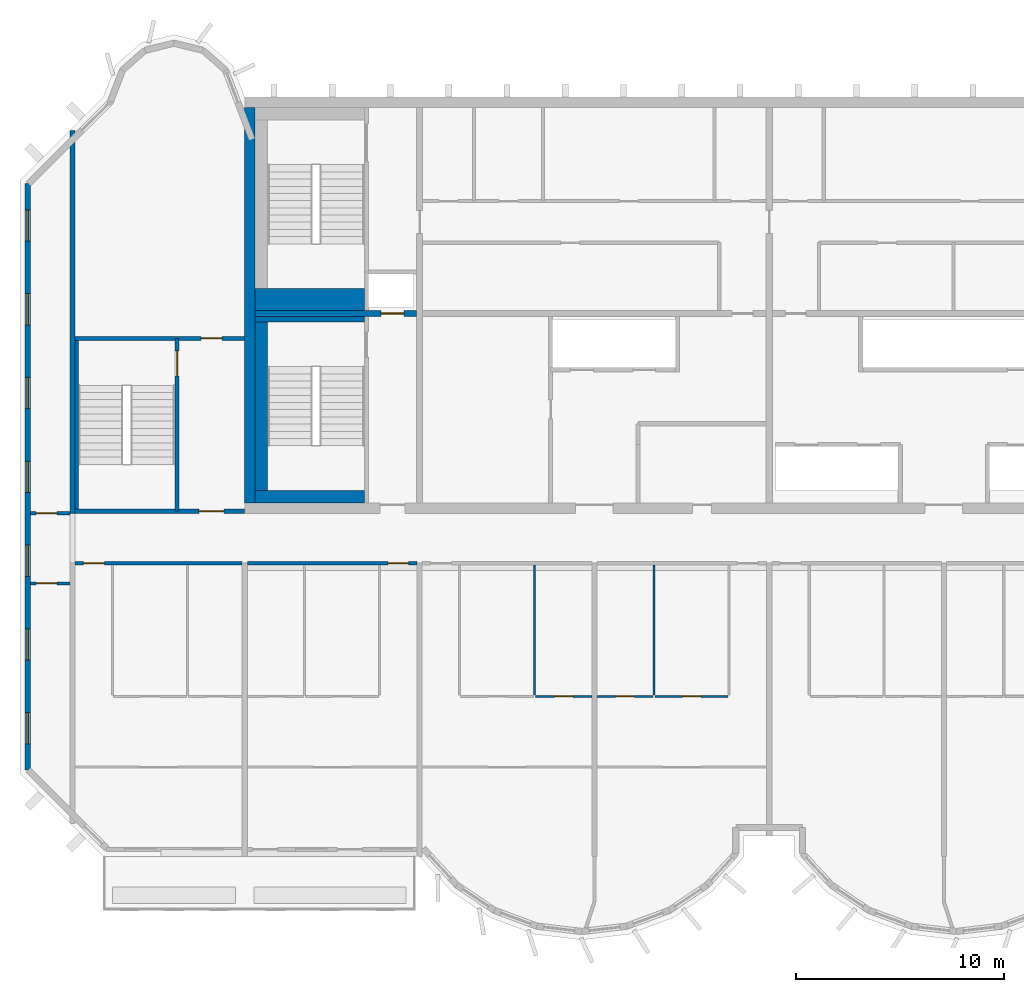
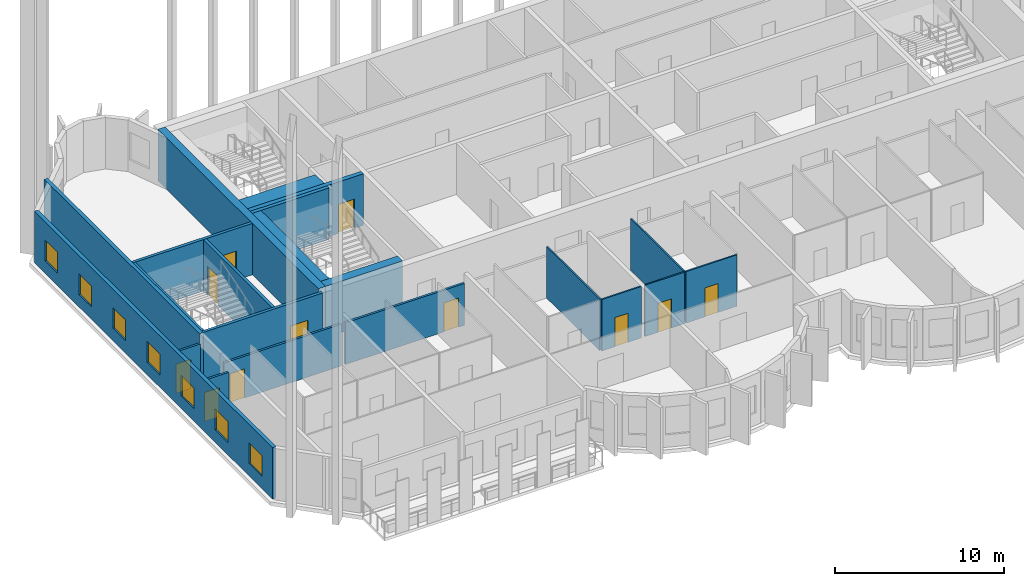
# One storey, part 3 of 13: 21 walls, 11 doors, 7 windows, 18 openings.
"""IFC4 building model written with IfcOpenShell, lengths in metres."""

from ifc_helpers import new_model, si_unit, direction, frame, frame_2d, origin, place, context, subcontext, project, spatial, rectangle, extrude, source, transform, mapped, material, layer, layer_set, type_object, element, fill, save


model = new_model("IFC4")

# Units and contexts
model_context = context("Model", 3, precision=1e-05, world=origin(), true_north=direction((0.0, 1.0)))
body_context = subcontext(model_context, "Body", "Model", "MODEL_VIEW")
ifc_project = project(units=[si_unit("LENGTHUNIT", "METRE"), si_unit("AREAUNIT", "SQUARE_METRE"), si_unit("VOLUMEUNIT", "CUBIC_METRE"), si_unit("PLANEANGLEUNIT", "RADIAN"), si_unit("MASSUNIT", "GRAM", prefix="KILO")], contexts=[model_context])

# Site, building, storey
site_placement = place(None, origin())
site = spatial("IfcSite", under=ifc_project, at=site_placement, CompositionType="ELEMENT")
building_placement = place(site_placement, origin())
building = spatial("IfcBuilding", under=site, at=building_placement, Name="Vanashikhar Sky Hotel", CompositionType="ELEMENT")
storey_placement = place(building_placement, frame((0.0, 0.0, 277.699951171875)))
storey = spatial("IfcBuildingStorey", under=building, at=storey_placement, Name="L66", CompositionType="ELEMENT", Elevation=277.699951171875)

# Wall
ifc_material_1 = material(Name="Concrete M50", Category="concrete")
ifc_layer_1 = layer(ifc_material_1, 0.5)
ifc_layer_set_1 = layer_set([ifc_layer_1], Name="RC core shell wall 500 Concrete M50")
wall_type_1 = type_object("IfcWallType", Name="RC core shell wall 500 Concrete M50", PredefinedType="SHEAR", material=ifc_layer_set_1)
shared_shape_1 = source(origin(), body_context, "Body", "SweptSolid", [
    extrude(rectangle(XDim=19.0, YDim=0.5, at=frame_2d((9.5, 0.0))), origin(), (0.0, 0.0, 1.0), 3.719970703125),
])
wall_1_placement = place(storey_placement, frame((25.449951171875, 22.5, 0.0), z_axis=(0.0, 0.0, 1.0), x_axis=(0.0, 1.0, 0.0)))
element("IfcWall", 1, at=wall_1_placement, inside=storey, type_object=wall_type_1, Name="KW-L66-KW", PredefinedType="SHEAR", context=body_context, shape_type="MappedRepresentation", body=[
    mapped(shared_shape_1, transform((0.0, 0.0, 0.0), scale=1.0)),
])

# Wall, opening, door
ifc_layer_2 = layer(ifc_material_1, 0.300048828125)
ifc_layer_set_2 = layer_set([ifc_layer_2], Name="RC core inner wall 300 Concrete M50")
wall_type_2 = type_object("IfcWallType", Name="RC core inner wall 300 Concrete M50", PredefinedType="SHEAR", material=ifc_layer_set_2)
shared_shape_2 = source(origin(), body_context, "Body", "SweptSolid", [
    extrude(rectangle(XDim=7.75, YDim=0.300048828125, at=frame_2d((3.875, 0.0))), origin(), (0.0, 0.0, 1.0), 3.719970703125),
])
wall_2_placement = place(storey_placement, frame((25.699951171875, 31.60009765625, 0.0), z_axis=(0.0, 0.0, 1.0), x_axis=(1.0, 0.0, 0.0)))
wall_2 = element("IfcWall", 2, at=wall_2_placement, inside=storey, type_object=wall_type_2, Name="KW-L66-KY1", PredefinedType="SHEAR", context=body_context, shape_type="MappedRepresentation", body=[
    mapped(shared_shape_2, transform((0.0, 0.0, 0.0), scale=1.0)),
])
shared_shape_3 = source(origin(), body_context, "Body", "SweptSolid", [
    extrude(rectangle(XDim=1.10009765625, YDim=2.10009765625, at=frame_2d((0.550048828125, 1.050048828125))), frame((0.0, 0.16015625, 0.0), z_axis=(0.0, -1.0, 0.0), x_axis=(1.0, 0.0, 0.0)), (0.0, 0.0, 1.0), 0.320068359375),
])
opening_1_placement = place(wall_2_placement, frame((6.050048828125, 0.0, 0.0)))
opening_1 = element("IfcOpeningElement", 3, at=opening_1_placement, cuts=wall_2, Name="Opening LD", PredefinedType="OPENING", context=body_context, shape_type="MappedRepresentation", body=[
    mapped(shared_shape_3, transform((0.0, 0.0, 0.0), scale=1.0)),
])
ifc_material_2 = material(Name="Stainless steel", Category="steel")
door_type_1 = type_object("IfcDoorType", Name="Lift landing door 1100", OperationType="NOTDEFINED", PredefinedType="DOOR", material=ifc_material_2)
shared_shape_4 = source(origin(), body_context, "Body", "SweptSolid", [
    extrude(rectangle(XDim=1.10009765625, YDim=2.10009765625, at=frame_2d((0.550048828125, 1.050048828125))), frame((0.0, 0.02490234375, 0.0), z_axis=(0.0, -1.0, 0.0), x_axis=(1.0, 0.0, 0.0)), (0.0, 0.0, 1.0), 0.050048828125),
])
door_1_placement = place(opening_1_placement, origin())
door_1 = element("IfcDoor", 4, at=door_1_placement, inside=storey, type_object=door_type_1, Name="Lift landing door 1100", OperationType="SLIDING_TO_RIGHT", OverallHeight=2.10009765625, OverallWidth=1.10009765625, PredefinedType="DOOR", context=body_context, shape_type="MappedRepresentation", body=[
    mapped(shared_shape_4, transform((0.0, 0.0, 0.0), scale=1.0)),
])
fill(opening_1, door_1)

# Wall
ifc_layer_3 = layer(ifc_material_1, 0.25)
ifc_layer_set_3 = layer_set([ifc_layer_3], Name="RC shear wall 250 Concrete M50")
wall_type_3 = type_object("IfcWallType", Name="RC shear wall 250 Concrete M50", PredefinedType="SHEAR", material=ifc_layer_set_3)
shared_shape_5 = source(origin(), body_context, "Body", "SweptSolid", [
    extrude(rectangle(XDim=18.39990234375, YDim=0.25, at=frame_2d((9.199951171875, 0.0))), origin(), (0.0, 0.0, 1.0), 3.719970703125),
])
wall_3_placement = place(storey_placement, frame((16.925048828125, 22.0, 0.0), z_axis=(0.0, 0.0, 1.0), x_axis=(0.0, 1.0, 0.0)))
element("IfcWall", 5, at=wall_3_placement, inside=storey, type_object=wall_type_3, Name="CW-L66-XW03-2", PredefinedType="SHEAR", context=body_context, shape_type="MappedRepresentation", body=[
    mapped(shared_shape_5, transform((0.0, 0.0, 0.0), scale=1.0)),
])

# Wall, openings, windows
ifc_layer_4 = layer(ifc_material_1, 0.25)
ifc_layer_set_4 = layer_set([ifc_layer_4], Name="Rear and end board-marked wall 250")
wall_type_4 = type_object("IfcWallType", Name="Rear and end board-marked wall 250", PredefinedType="SOLIDWALL", material=ifc_layer_set_4)
shared_shape_6 = source(origin(), body_context, "Body", "SweptSolid", [
    extrude(rectangle(XDim=28.189453125, YDim=0.25, at=frame_2d((14.0947265625, 0.0))), origin(), (0.0, 0.0, 1.0), 3.719970703125),
])
wall_4_placement = place(storey_placement, frame((14.77490234375, 37.8447265625, 0.0), z_axis=(0.0, 0.0, 1.0), x_axis=(0.0, -1.0, 0.0)))
wall_4 = element("IfcWall", 6, at=wall_4_placement, inside=storey, type_object=wall_type_4, Name="End board-marked wall", PredefinedType="SOLIDWALL", context=body_context, shape_type="MappedRepresentation", body=[
    mapped(shared_shape_6, transform((0.0, 0.0, 0.0), scale=1.0)),
])
shared_shape_7 = source(origin(), body_context, "Body", "SweptSolid", [
    extrude(rectangle(XDim=1.5, YDim=1.5, at=frame_2d((0.75, 0.75))), frame((0.0, 0.135009765625, 0.0), z_axis=(0.0, -1.0, 0.0), x_axis=(1.0, 0.0, 0.0)), (0.0, 0.0, 1.0), 0.27001953125),
])
opening_2_placement = place(wall_4_placement, frame((1.263427734375, 0.0, 0.89990234375)))
opening_2 = element("IfcOpeningElement", 7, at=opening_2_placement, cuts=wall_4, Name="Opening WN-1", PredefinedType="OPENING", context=body_context, shape_type="MappedRepresentation", body=[
    mapped(shared_shape_7, transform((0.0, 0.0, 0.0), scale=1.0)),
])
opening_3_placement = place(wall_4_placement, frame((5.29052734375, 0.0, 0.89990234375)))
opening_3 = element("IfcOpeningElement", 8, at=opening_3_placement, cuts=wall_4, Name="Opening WN-1", PredefinedType="OPENING", context=body_context, shape_type="MappedRepresentation", body=[
    mapped(shared_shape_7, transform((0.0, 0.0, 0.0), scale=1.0)),
])
opening_4_placement = place(wall_4_placement, frame((9.317626953125, 0.0, 0.89990234375)))
opening_4 = element("IfcOpeningElement", 9, at=opening_4_placement, cuts=wall_4, Name="Opening WN-1", PredefinedType="OPENING", context=body_context, shape_type="MappedRepresentation", body=[
    mapped(shared_shape_7, transform((0.0, 0.0, 0.0), scale=1.0)),
])
opening_5_placement = place(wall_4_placement, frame((13.3447265625, 0.0, 0.89990234375)))
opening_5 = element("IfcOpeningElement", 10, at=opening_5_placement, cuts=wall_4, Name="Opening WN-1", PredefinedType="OPENING", context=body_context, shape_type="MappedRepresentation", body=[
    mapped(shared_shape_7, transform((0.0, 0.0, 0.0), scale=1.0)),
])
opening_6_placement = place(wall_4_placement, frame((17.371826171875, 0.0, 0.89990234375)))
opening_6 = element("IfcOpeningElement", 11, at=opening_6_placement, cuts=wall_4, Name="Opening WN-1", PredefinedType="OPENING", context=body_context, shape_type="MappedRepresentation", body=[
    mapped(shared_shape_7, transform((0.0, 0.0, 0.0), scale=1.0)),
])
opening_7_placement = place(wall_4_placement, frame((21.398681640625, 0.0, 0.89990234375)))
opening_7 = element("IfcOpeningElement", 12, at=opening_7_placement, cuts=wall_4, Name="Opening WN-1", PredefinedType="OPENING", context=body_context, shape_type="MappedRepresentation", body=[
    mapped(shared_shape_7, transform((0.0, 0.0, 0.0), scale=1.0)),
])
opening_8_placement = place(wall_4_placement, frame((25.42578125, 0.0, 0.89990234375)))
opening_8 = element("IfcOpeningElement", 13, at=opening_8_placement, cuts=wall_4, Name="Opening WN-1", PredefinedType="OPENING", context=body_context, shape_type="MappedRepresentation", body=[
    mapped(shared_shape_7, transform((0.0, 0.0, 0.0), scale=1.0)),
])
ifc_material_3 = material(Name="Glass", Category="glass")
window_type = type_object("IfcWindowType", Name="Window 1500 x 1500", PartitioningType="SINGLE_PANEL", PredefinedType="WINDOW", material=ifc_material_3)
shared_shape_8 = source(origin(), body_context, "Body", "SweptSolid", [
    extrude(rectangle(XDim=1.5, YDim=1.5, at=frame_2d((0.75, 0.75))), frame((0.0, 0.030029296875, 0.0), z_axis=(0.0, -1.0, 0.0), x_axis=(1.0, 0.0, 0.0)), (0.0, 0.0, 1.0), 0.06005859375),
])
window_1_placement = place(opening_2_placement, origin())
window_1 = element("IfcWindow", 14, at=window_1_placement, inside=storey, type_object=window_type, Name="Window WN-1", OverallHeight=1.5, OverallWidth=1.5, PartitioningType="SINGLE_PANEL", PredefinedType="WINDOW", context=body_context, shape_type="MappedRepresentation", body=[
    mapped(shared_shape_8, transform((0.0, 0.0, 0.0), scale=1.0)),
])
fill(opening_2, window_1)
window_2_placement = place(opening_3_placement, origin())
window_2 = element("IfcWindow", 15, at=window_2_placement, inside=storey, type_object=window_type, Name="Window WN-1", OverallHeight=1.5, OverallWidth=1.5, PartitioningType="SINGLE_PANEL", PredefinedType="WINDOW", context=body_context, shape_type="MappedRepresentation", body=[
    mapped(shared_shape_8, transform((0.0, 0.0, 0.0), scale=1.0)),
])
fill(opening_3, window_2)
window_3_placement = place(opening_4_placement, origin())
window_3 = element("IfcWindow", 16, at=window_3_placement, inside=storey, type_object=window_type, Name="Window WN-1", OverallHeight=1.5, OverallWidth=1.5, PartitioningType="SINGLE_PANEL", PredefinedType="WINDOW", context=body_context, shape_type="MappedRepresentation", body=[
    mapped(shared_shape_8, transform((0.0, 0.0, 0.0), scale=1.0)),
])
fill(opening_4, window_3)
window_4_placement = place(opening_5_placement, origin())
window_4 = element("IfcWindow", 17, at=window_4_placement, inside=storey, type_object=window_type, Name="Window WN-1", OverallHeight=1.5, OverallWidth=1.5, PartitioningType="SINGLE_PANEL", PredefinedType="WINDOW", context=body_context, shape_type="MappedRepresentation", body=[
    mapped(shared_shape_8, transform((0.0, 0.0, 0.0), scale=1.0)),
])
fill(opening_5, window_4)
window_5_placement = place(opening_6_placement, origin())
window_5 = element("IfcWindow", 18, at=window_5_placement, inside=storey, type_object=window_type, Name="Window WN-1", OverallHeight=1.5, OverallWidth=1.5, PartitioningType="SINGLE_PANEL", PredefinedType="WINDOW", context=body_context, shape_type="MappedRepresentation", body=[
    mapped(shared_shape_8, transform((0.0, 0.0, 0.0), scale=1.0)),
])
fill(opening_6, window_5)
window_6_placement = place(opening_7_placement, origin())
window_6 = element("IfcWindow", 19, at=window_6_placement, inside=storey, type_object=window_type, Name="Window WN-1", OverallHeight=1.5, OverallWidth=1.5, PartitioningType="SINGLE_PANEL", PredefinedType="WINDOW", context=body_context, shape_type="MappedRepresentation", body=[
    mapped(shared_shape_8, transform((0.0, 0.0, 0.0), scale=1.0)),
])
fill(opening_7, window_6)
window_7_placement = place(opening_8_placement, origin())
window_7 = element("IfcWindow", 20, at=window_7_placement, inside=storey, type_object=window_type, Name="Window WN-1", OverallHeight=1.5, OverallWidth=1.5, PartitioningType="SINGLE_PANEL", PredefinedType="WINDOW", context=body_context, shape_type="MappedRepresentation", body=[
    mapped(shared_shape_8, transform((0.0, 0.0, 0.0), scale=1.0)),
])
fill(opening_8, window_7)

# Wall, opening, door
ifc_layer_5 = layer(ifc_material_1, 0.199951171875)
ifc_layer_set_5 = layer_set([ifc_layer_5], Name="Stair wall 200")
wall_type_5 = type_object("IfcWallType", Name="Stair wall 200", PredefinedType="SOLIDWALL", material=ifc_layer_set_5)
shared_shape_9 = source(origin(), body_context, "Body", "SweptSolid", [
    extrude(rectangle(XDim=8.2998046875, YDim=0.199951171875, at=frame_2d((4.14990234375, 0.0))), origin(), (0.0, 0.0, 1.0), 3.719970703125),
])
wall_5_placement = place(storey_placement, frame((21.949951171875, 22.10009765625, 0.0), z_axis=(0.0, 0.0, 1.0), x_axis=(0.0, 1.0, 0.0)))
wall_5 = element("IfcWall", 21, at=wall_5_placement, inside=storey, type_object=wall_type_5, Name="Stair wall 200", PredefinedType="SOLIDWALL", context=body_context, shape_type="MappedRepresentation", body=[
    mapped(shared_shape_9, transform((0.0, 0.0, 0.0), scale=1.0)),
])
shared_shape_10 = source(origin(), body_context, "Body", "SweptSolid", [
    extrude(rectangle(XDim=1.199951171875, YDim=2.10009765625, at=frame_2d((0.60009765625, 1.050048828125))), frame((0.0, 0.10986328125, 0.0), z_axis=(0.0, -1.0, 0.0), x_axis=(1.0, 0.0, 0.0)), (0.0, 0.0, 1.0), 0.219970703125),
])
opening_9_placement = place(wall_5_placement, frame((6.5, 0.0, 0.0)))
opening_9 = element("IfcOpeningElement", 22, at=opening_9_placement, cuts=wall_5, Name="Opening DC-1", PredefinedType="OPENING", context=body_context, shape_type="MappedRepresentation", body=[
    mapped(shared_shape_10, transform((0.0, 0.0, 0.0), scale=1.0)),
])
ifc_material_4 = material(Name="Steel", Category="steel")
door_type_2 = type_object("IfcDoorType", Name="Stair door 1200 FD120", OperationType="NOTDEFINED", PredefinedType="DOOR", material=ifc_material_4)
shared_shape_11 = source(origin(), body_context, "Body", "SweptSolid", [
    extrude(rectangle(XDim=1.199951171875, YDim=2.10009765625, at=frame_2d((0.60009765625, 1.050048828125))), frame((0.0, 0.02490234375, 0.0), z_axis=(0.0, -1.0, 0.0), x_axis=(1.0, 0.0, 0.0)), (0.0, 0.0, 1.0), 0.050048828125),
])
door_2_placement = place(opening_9_placement, origin())
door_2 = element("IfcDoor", 23, at=door_2_placement, inside=storey, type_object=door_type_2, Name="Stair door 1200 FD120", OperationType="SINGLE_SWING_LEFT", OverallHeight=2.10009765625, OverallWidth=1.199951171875, PredefinedType="DOOR", context=body_context, shape_type="MappedRepresentation", body=[
    mapped(shared_shape_11, transform((0.0, 0.0, 0.0), scale=1.0)),
])
fill(opening_9, door_2)

shared_shape_12 = source(origin(), body_context, "Body", "SweptSolid", [
    extrude(rectangle(XDim=8.14990234375, YDim=0.199951171875, at=frame_2d((4.074951171875, 0.0))), origin(), (0.0, 0.0, 1.0), 3.719970703125),
])
wall_6_placement = place(storey_placement, frame((17.050048828125, 22.10009765625, 0.0), z_axis=(0.0, 0.0, 1.0), x_axis=(1.0, 0.0, 0.0)))
wall_6 = element("IfcWall", 24, at=wall_6_placement, inside=storey, type_object=wall_type_5, Name="Stair wall 200", PredefinedType="SOLIDWALL", context=body_context, shape_type="MappedRepresentation", body=[
    mapped(shared_shape_12, transform((0.0, 0.0, 0.0), scale=1.0)),
])
opening_10_placement = place(wall_6_placement, frame((5.949951171875, 0.0, 0.0)))
opening_10 = element("IfcOpeningElement", 25, at=opening_10_placement, cuts=wall_6, Name="Opening DC-2", PredefinedType="OPENING", context=body_context, shape_type="MappedRepresentation", body=[
    mapped(shared_shape_10, transform((0.0, 0.0, 0.0), scale=1.0)),
])
door_type_3 = type_object("IfcDoorType", Name="Firefighting lobby door 1200 FD120", OperationType="NOTDEFINED", PredefinedType="DOOR", material=ifc_material_4)
door_3_placement = place(opening_10_placement, origin())
door_3 = element("IfcDoor", 26, at=door_3_placement, inside=storey, type_object=door_type_3, Name="Firefighting lobby door 1200 FD120", OperationType="SINGLE_SWING_LEFT", OverallHeight=2.10009765625, OverallWidth=1.199951171875, PredefinedType="DOOR", context=body_context, shape_type="MappedRepresentation", body=[
    mapped(shared_shape_11, transform((0.0, 0.0, 0.0), scale=1.0)),
])
fill(opening_10, door_3)

wall_7_placement = place(storey_placement, frame((17.050048828125, 30.39990234375, 0.0), z_axis=(0.0, 0.0, 1.0), x_axis=(1.0, 0.0, 0.0)))
wall_7 = element("IfcWall", 27, at=wall_7_placement, inside=storey, type_object=wall_type_5, Name="Stair wall 200", PredefinedType="SOLIDWALL", context=body_context, shape_type="MappedRepresentation", body=[
    mapped(shared_shape_12, transform((0.0, 0.0, 0.0), scale=1.0)),
])
shared_shape_13 = source(origin(), body_context, "Body", "SweptSolid", [
    extrude(rectangle(XDim=1.0, YDim=2.10009765625, at=frame_2d((0.5, 1.050048828125))), frame((0.0, 0.10986328125, 0.0), z_axis=(0.0, -1.0, 0.0), x_axis=(1.0, 0.0, 0.0)), (0.0, 0.0, 1.0), 0.219970703125),
])
opening_11_placement = place(wall_7_placement, frame((6.050048828125, 0.0, 0.0)))
opening_11 = element("IfcOpeningElement", 28, at=opening_11_placement, cuts=wall_7, Name="Opening DC-6", PredefinedType="OPENING", context=body_context, shape_type="MappedRepresentation", body=[
    mapped(shared_shape_13, transform((0.0, 0.0, 0.0), scale=1.0)),
])
door_type_4 = type_object("IfcDoorType", Name="Pocket door 1000 FD60", OperationType="NOTDEFINED", PredefinedType="DOOR", material=ifc_material_4)
shared_shape_14 = source(origin(), body_context, "Body", "SweptSolid", [
    extrude(rectangle(XDim=1.0, YDim=2.10009765625, at=frame_2d((0.5, 1.050048828125))), frame((0.0, 0.02490234375, 0.0), z_axis=(0.0, -1.0, 0.0), x_axis=(1.0, 0.0, 0.0)), (0.0, 0.0, 1.0), 0.050048828125),
])
door_4_placement = place(opening_11_placement, origin())
door_4 = element("IfcDoor", 29, at=door_4_placement, inside=storey, type_object=door_type_4, Name="Pocket door 1000 FD60", OperationType="SINGLE_SWING_LEFT", OverallHeight=2.10009765625, OverallWidth=1.0, PredefinedType="DOOR", context=body_context, shape_type="MappedRepresentation", body=[
    mapped(shared_shape_14, transform((0.0, 0.0, 0.0), scale=1.0)),
])
fill(opening_11, door_4)

# Walls
ifc_layer_6 = layer(ifc_material_1, 0.60009765625)
ifc_layer_set_6 = layer_set([ifc_layer_6], Name="Stair infill wall 600")
wall_type_6 = type_object("IfcWallType", Name="Stair infill wall 600", PredefinedType="SOLIDWALL", material=ifc_layer_set_6)
shared_shape_15 = source(origin(), body_context, "Body", "SweptSolid", [
    extrude(rectangle(XDim=5.25, YDim=0.60009765625, at=frame_2d((2.625, 0.0))), origin(), (0.0, 0.0, 1.0), 3.719970703125),
])
wall_8_placement = place(storey_placement, frame((25.699951171875, 22.800048828125, 0.0), z_axis=(0.0, 0.0, 1.0), x_axis=(1.0, 0.0, 0.0)))
element("IfcWall", 30, at=wall_8_placement, inside=storey, type_object=wall_type_6, Name="Stair infill wall 600", PredefinedType="SOLIDWALL", context=body_context, shape_type="MappedRepresentation", body=[
    mapped(shared_shape_15, transform((0.0, 0.0, 0.0), scale=1.0)),
])
ifc_layer_7 = layer(ifc_material_1, 0.25)
ifc_layer_set_7 = layer_set([ifc_layer_7], Name="Stair infill wall 250")
wall_type_7 = type_object("IfcWallType", Name="Stair infill wall 250", PredefinedType="SOLIDWALL", material=ifc_layer_set_7)
shared_shape_16 = source(origin(), body_context, "Body", "SweptSolid", [
    extrude(rectangle(XDim=5.25, YDim=0.25, at=frame_2d((2.625, 0.0))), origin(), (0.0, 0.0, 1.0), 3.719970703125),
])
wall_9_placement = place(storey_placement, frame((25.699951171875, 31.324951171875, 0.0), z_axis=(0.0, 0.0, 1.0), x_axis=(1.0, 0.0, 0.0)))
element("IfcWall", 31, at=wall_9_placement, inside=storey, type_object=wall_type_7, Name="Stair infill wall 250", PredefinedType="SOLIDWALL", context=body_context, shape_type="MappedRepresentation", body=[
    mapped(shared_shape_16, transform((0.0, 0.0, 0.0), scale=1.0)),
])
shared_shape_17 = source(origin(), body_context, "Body", "SweptSolid", [
    extrude(rectangle(XDim=8.099853515625, YDim=0.60009765625, at=frame_2d((4.0498046875, 0.0))), origin(), (0.0, 0.0, 1.0), 3.719970703125),
])
wall_10_placement = place(storey_placement, frame((26.0, 23.10009765625, 0.0), z_axis=(0.0, 0.0, 1.0), x_axis=(0.0, 1.0, 0.0)))
element("IfcWall", 32, at=wall_10_placement, inside=storey, type_object=wall_type_6, Name="Stair infill wall 600", PredefinedType="SOLIDWALL", context=body_context, shape_type="MappedRepresentation", body=[
    mapped(shared_shape_17, transform((0.0, 0.0, 0.0), scale=1.0)),
])
ifc_layer_8 = layer(ifc_material_1, 0.14990234375)
ifc_layer_set_8 = layer_set([ifc_layer_8], Name="Stair infill wall 150")
wall_type_8 = type_object("IfcWallType", Name="Stair infill wall 150", PredefinedType="SOLIDWALL", material=ifc_layer_set_8)
shared_shape_18 = source(origin(), body_context, "Body", "SweptSolid", [
    extrude(rectangle(XDim=8.10009765625, YDim=0.14990234375, at=frame_2d((4.050048828125, 0.0))), origin(), (0.0, 0.0, 1.0), 3.719970703125),
])
wall_11_placement = place(storey_placement, frame((17.125, 22.199951171875, 0.0), z_axis=(0.0, 0.0, 1.0), x_axis=(0.0, 1.0, 0.0)))
element("IfcWall", 33, at=wall_11_placement, inside=storey, type_object=wall_type_8, Name="Stair infill wall 150", PredefinedType="SOLIDWALL", context=body_context, shape_type="MappedRepresentation", body=[
    mapped(shared_shape_18, transform((0.0, 0.0, 0.0), scale=1.0)),
])
ifc_layer_9 = layer(ifc_material_1, 1.050048828125)
ifc_layer_set_9 = layer_set([ifc_layer_9], Name="Stair infill wall 1050")
wall_type_9 = type_object("IfcWallType", Name="Stair infill wall 1050", PredefinedType="SOLIDWALL", material=ifc_layer_set_9)
shared_shape_19 = source(origin(), body_context, "Body", "SweptSolid", [
    extrude(rectangle(XDim=5.25, YDim=1.050048828125, at=frame_2d((2.625, 0.0))), origin(), (0.0, 0.0, 1.0), 3.719970703125),
])
wall_12_placement = place(storey_placement, frame((25.699951171875, 32.27490234375, 0.0), z_axis=(0.0, 0.0, 1.0), x_axis=(1.0, 0.0, 0.0)))
element("IfcWall", 34, at=wall_12_placement, inside=storey, type_object=wall_type_9, Name="Stair infill wall 1050", PredefinedType="SOLIDWALL", context=body_context, shape_type="MappedRepresentation", body=[
    mapped(shared_shape_19, transform((0.0, 0.0, 0.0), scale=1.0)),
])
ifc_material_5 = material(Name="Gypsum plasterboard partition")
ifc_layer_10 = layer(ifc_material_5, 0.10009765625)
ifc_layer_set_10 = layer_set([ifc_layer_10], Name="Wet room partition 100")
wall_type_10 = type_object("IfcWallType", Name="Wet room partition 100", PredefinedType="PARTITIONING", material=ifc_layer_set_10)
shared_shape_20 = source(origin(), body_context, "Body", "SweptSolid", [
    extrude(rectangle(XDim=6.25, YDim=0.10009765625, at=frame_2d((3.125, 0.0))), origin(), (0.0, 0.0, 1.0), 3.719970703125),
])
for number, where, z_axis, x_axis, name in (
    (35, (39.125, 13.27490234375, 0.0), (0.0, 0.0, 1.0), (0.0, 1.0, 0.0), "W-L66-PW014"),
    (36, (44.875, 13.27490234375, 0.0), (0.0, 0.0, 1.0), (0.0, 1.0, 0.0), "W-L66-PW020"),
):
    element("IfcWall", number, at=place(storey_placement, frame(where, z_axis=z_axis, x_axis=x_axis)), inside=storey, type_object=wall_type_10, Name=name, PredefinedType="PARTITIONING", context=body_context, shape_type="MappedRepresentation", body=[
        mapped(shared_shape_20, transform((0.0, 0.0, 0.0), scale=1.0)),
    ])

# Wall, opening, door
shared_shape_21 = source(origin(), body_context, "Body", "SweptSolid", [
    extrude(rectangle(XDim=3.5, YDim=0.10009765625, at=frame_2d((1.75, 0.0))), origin(), (0.0, 0.0, 1.0), 3.719970703125),
])
wall_13_placement = place(storey_placement, frame((44.925048828125, 13.199951171875, 0.0), z_axis=(0.0, 0.0, 1.0), x_axis=(1.0, 0.0, 0.0)))
wall_13 = element("IfcWall", 37, at=wall_13_placement, inside=storey, type_object=wall_type_10, Name="W-L66-PW021", PredefinedType="PARTITIONING", context=body_context, shape_type="MappedRepresentation", body=[
    mapped(shared_shape_21, transform((0.0, 0.0, 0.0), scale=1.0)),
])
shared_shape_22 = source(origin(), body_context, "Body", "SweptSolid", [
    extrude(rectangle(XDim=0.89990234375, YDim=2.10009765625, at=frame_2d((0.449951171875, 1.050048828125))), frame((0.0, 0.06005859375, 0.0), z_axis=(0.0, -1.0, 0.0), x_axis=(1.0, 0.0, 0.0)), (0.0, 0.0, 1.0), 0.1201171875),
])
opening_12_placement = place(wall_13_placement, frame((1.300048828125, 0.0, 0.0)))
opening_12 = element("IfcOpeningElement", 38, at=opening_12_placement, cuts=wall_13, Name="Opening D-02", PredefinedType="OPENING", context=body_context, shape_type="MappedRepresentation", body=[
    mapped(shared_shape_22, transform((0.0, 0.0, 0.0), scale=1.0)),
])
ifc_material_6 = material(Name="Timber door", Category="wood")
door_type_5 = type_object("IfcDoorType", Name="Internal door 900", OperationType="NOTDEFINED", PredefinedType="DOOR", material=ifc_material_6)
shared_shape_23 = source(origin(), body_context, "Body", "SweptSolid", [
    extrude(rectangle(XDim=0.89990234375, YDim=2.10009765625, at=frame_2d((0.449951171875, 1.050048828125))), frame((0.0, 0.02490234375, 0.0), z_axis=(0.0, -1.0, 0.0), x_axis=(1.0, 0.0, 0.0)), (0.0, 0.0, 1.0), 0.050048828125),
])
door_5_placement = place(opening_12_placement, origin())
door_5 = element("IfcDoor", 39, at=door_5_placement, inside=storey, type_object=door_type_5, Name="D-L66-013", OperationType="SINGLE_SWING_RIGHT", OverallHeight=2.10009765625, OverallWidth=0.89990234375, PredefinedType="DOOR", context=body_context, shape_type="MappedRepresentation", body=[
    mapped(shared_shape_23, transform((0.0, 0.0, 0.0), scale=1.0)),
])
fill(opening_12, door_5)

ifc_layer_11 = layer(ifc_material_5, 0.14990234375)
ifc_layer_set_11 = layer_set([ifc_layer_11], Name="Corridor and demising partition 150")
wall_type_11 = type_object("IfcWallType", Name="Corridor and demising partition 150", PredefinedType="PARTITIONING", material=ifc_layer_set_11)
shared_shape_24 = source(origin(), body_context, "Body", "SweptSolid", [
    extrude(rectangle(XDim=8.02490234375, YDim=0.14990234375, at=frame_2d((4.012451171875, 0.0))), origin(), (0.0, 0.0, 1.0), 3.02001953125),
])
wall_14_placement = place(storey_placement, frame((17.050048828125, 19.60009765625, 0.0), z_axis=(0.0, 0.0, 1.0), x_axis=(1.0, 0.0, 0.0)))
wall_14 = element("IfcWall", 40, at=wall_14_placement, inside=storey, type_object=wall_type_11, Name="W-L66-PW006", PredefinedType="PARTITIONING", context=body_context, shape_type="MappedRepresentation", body=[
    mapped(shared_shape_24, transform((0.0, 0.0, 0.0), scale=1.0)),
])
shared_shape_25 = source(origin(), body_context, "Body", "SweptSolid", [
    extrude(rectangle(XDim=1.0, YDim=2.10009765625, at=frame_2d((0.5, 1.050048828125))), frame((0.0, 0.0849609375, 0.0), z_axis=(0.0, -1.0, 0.0), x_axis=(1.0, 0.0, 0.0)), (0.0, 0.0, 1.0), 0.169921875),
])
opening_13_placement = place(wall_14_placement, frame((0.39990234375, 0.0, 0.0)))
opening_13 = element("IfcOpeningElement", 41, at=opening_13_placement, cuts=wall_14, Name="Opening D-01", PredefinedType="OPENING", context=body_context, shape_type="MappedRepresentation", body=[
    mapped(shared_shape_25, transform((0.0, 0.0, 0.0), scale=1.0)),
])
ifc_material_7 = material(Name="Timber fire door", Category="wood")
door_type_6 = type_object("IfcDoorType", Name="Guest entry door 1000 FD30S", OperationType="NOTDEFINED", PredefinedType="DOOR", material=ifc_material_7)
door_6_placement = place(opening_13_placement, origin())
door_6 = element("IfcDoor", 42, at=door_6_placement, inside=storey, type_object=door_type_6, Name="D-L66-004", OperationType="SINGLE_SWING_LEFT", OverallHeight=2.10009765625, OverallWidth=1.0, PredefinedType="DOOR", context=body_context, shape_type="MappedRepresentation", body=[
    mapped(shared_shape_14, transform((0.0, 0.0, 0.0), scale=1.0)),
])
fill(opening_13, door_6)

shared_shape_26 = source(origin(), body_context, "Body", "SweptSolid", [
    extrude(rectangle(XDim=2.699951171875, YDim=0.10009765625, at=frame_2d((1.35009765625, 0.0))), origin(), (0.0, 0.0, 1.0), 3.719970703125),
])
wall_15_placement = place(storey_placement, frame((39.175048828125, 13.199951171875, 0.0), z_axis=(0.0, 0.0, 1.0), x_axis=(1.0, 0.0, 0.0)))
wall_15 = element("IfcWall", 43, at=wall_15_placement, inside=storey, type_object=wall_type_10, Name="W-L66-PW016", PredefinedType="PARTITIONING", context=body_context, shape_type="MappedRepresentation", body=[
    mapped(shared_shape_26, transform((0.0, 0.0, 0.0), scale=1.0)),
])
opening_14_placement = place(wall_15_placement, frame((0.89990234375, 0.0, 0.0)))
opening_14 = element("IfcOpeningElement", 44, at=opening_14_placement, cuts=wall_15, Name="Opening D-02", PredefinedType="OPENING", context=body_context, shape_type="MappedRepresentation", body=[
    mapped(shared_shape_22, transform((0.0, 0.0, 0.0), scale=1.0)),
])
door_7_placement = place(opening_14_placement, origin())
door_7 = element("IfcDoor", 45, at=door_7_placement, inside=storey, type_object=door_type_5, Name="D-L66-010", OperationType="SINGLE_SWING_LEFT", OverallHeight=2.10009765625, OverallWidth=0.89990234375, PredefinedType="DOOR", context=body_context, shape_type="MappedRepresentation", body=[
    mapped(shared_shape_23, transform((0.0, 0.0, 0.0), scale=1.0)),
])
fill(opening_14, door_7)

wall_16_placement = place(storey_placement, frame((42.125, 13.199951171875, 0.0), z_axis=(0.0, 0.0, 1.0), x_axis=(1.0, 0.0, 0.0)))
wall_16 = element("IfcWall", 46, at=wall_16_placement, inside=storey, type_object=wall_type_10, Name="W-L66-PW022", PredefinedType="PARTITIONING", context=body_context, shape_type="MappedRepresentation", body=[
    mapped(shared_shape_26, transform((0.0, 0.0, 0.0), scale=1.0)),
])
opening_15_placement = place(wall_16_placement, frame((0.89990234375, 0.0, 0.0)))
opening_15 = element("IfcOpeningElement", 47, at=opening_15_placement, cuts=wall_16, Name="Opening D-02", PredefinedType="OPENING", context=body_context, shape_type="MappedRepresentation", body=[
    mapped(shared_shape_22, transform((0.0, 0.0, 0.0), scale=1.0)),
])
door_8_placement = place(opening_15_placement, origin())
door_8 = element("IfcDoor", 48, at=door_8_placement, inside=storey, type_object=door_type_5, Name="D-L66-014", OperationType="SINGLE_SWING_RIGHT", OverallHeight=2.10009765625, OverallWidth=0.89990234375, PredefinedType="DOOR", context=body_context, shape_type="MappedRepresentation", body=[
    mapped(shared_shape_23, transform((0.0, 0.0, 0.0), scale=1.0)),
])
fill(opening_15, door_8)

shared_shape_27 = source(origin(), body_context, "Body", "SweptSolid", [
    extrude(rectangle(XDim=8.150146484375, YDim=0.14990234375, at=frame_2d((4.0751953125, 0.0))), origin(), (0.0, 0.0, 1.0), 3.02001953125),
])
wall_17_placement = place(storey_placement, frame((25.324951171875, 19.60009765625, 0.0), z_axis=(0.0, 0.0, 1.0), x_axis=(1.0, 0.0, 0.0)))
wall_17 = element("IfcWall", 49, at=wall_17_placement, inside=storey, type_object=wall_type_11, Name="W-L66-PW012", PredefinedType="PARTITIONING", context=body_context, shape_type="MappedRepresentation", body=[
    mapped(shared_shape_27, transform((0.0, 0.0, 0.0), scale=1.0)),
])
opening_16_placement = place(wall_17_placement, frame((6.75, 0.0, 0.0)))
opening_16 = element("IfcOpeningElement", 50, at=opening_16_placement, cuts=wall_17, Name="Opening D-01", PredefinedType="OPENING", context=body_context, shape_type="MappedRepresentation", body=[
    mapped(shared_shape_25, transform((0.0, 0.0, 0.0), scale=1.0)),
])
door_9_placement = place(opening_16_placement, origin())
door_9 = element("IfcDoor", 51, at=door_9_placement, inside=storey, type_object=door_type_6, Name="D-L66-008", OperationType="SINGLE_SWING_RIGHT", OverallHeight=2.10009765625, OverallWidth=1.0, PredefinedType="DOOR", context=body_context, shape_type="MappedRepresentation", body=[
    mapped(shared_shape_14, transform((0.0, 0.0, 0.0), scale=1.0)),
])
fill(opening_16, door_9)

shared_shape_28 = source(origin(), body_context, "Body", "SweptSolid", [
    extrude(rectangle(XDim=1.900146484375, YDim=0.14990234375, at=frame_2d((0.9501953125, 0.0))), origin(), (0.0, 0.0, 1.0), 3.02001953125),
])
wall_18_placement = place(storey_placement, frame((14.89990234375, 22.0, 0.0), z_axis=(0.0, 0.0, 1.0), x_axis=(1.0, 0.0, 0.0)))
wall_18 = element("IfcWall", 52, at=wall_18_placement, inside=storey, type_object=wall_type_11, Name="W-L66-PW048", PredefinedType="PARTITIONING", context=body_context, shape_type="MappedRepresentation", body=[
    mapped(shared_shape_28, transform((0.0, 0.0, 0.0), scale=1.0)),
])
opening_17_placement = place(wall_18_placement, frame((0.27490234375, 0.0, 0.0)))
opening_17 = element("IfcOpeningElement", 53, at=opening_17_placement, cuts=wall_18, Name="Opening D-01", PredefinedType="OPENING", context=body_context, shape_type="MappedRepresentation", body=[
    mapped(shared_shape_25, transform((0.0, 0.0, 0.0), scale=1.0)),
])
door_10_placement = place(opening_17_placement, origin())
door_10 = element("IfcDoor", 54, at=door_10_placement, inside=storey, type_object=door_type_6, Name="D-L66-030", OperationType="SINGLE_SWING_LEFT", OverallHeight=2.10009765625, OverallWidth=1.0, PredefinedType="DOOR", context=body_context, shape_type="MappedRepresentation", body=[
    mapped(shared_shape_14, transform((0.0, 0.0, 0.0), scale=1.0)),
])
fill(opening_17, door_10)

wall_19_placement = place(storey_placement, frame((14.89990234375, 18.6279296875, 0.0), z_axis=(0.0, 0.0, 1.0), x_axis=(1.0, 0.0, 0.0)))
wall_19 = element("IfcWall", 55, at=wall_19_placement, inside=storey, type_object=wall_type_11, Name="W-L66-PW050", PredefinedType="PARTITIONING", context=body_context, shape_type="MappedRepresentation", body=[
    mapped(shared_shape_28, transform((0.0, 0.0, 0.0), scale=1.0)),
])
opening_18_placement = place(wall_19_placement, frame((0.27490234375, 0.0, 0.0)))
opening_18 = element("IfcOpeningElement", 56, at=opening_18_placement, cuts=wall_19, Name="Opening D-01", PredefinedType="OPENING", context=body_context, shape_type="MappedRepresentation", body=[
    mapped(shared_shape_25, transform((0.0, 0.0, 0.0), scale=1.0)),
])
door_11_placement = place(opening_18_placement, origin())
door_11 = element("IfcDoor", 57, at=door_11_placement, inside=storey, type_object=door_type_6, Name="D-L66-032", OperationType="SINGLE_SWING_LEFT", OverallHeight=2.10009765625, OverallWidth=1.0, PredefinedType="DOOR", context=body_context, shape_type="MappedRepresentation", body=[
    mapped(shared_shape_14, transform((0.0, 0.0, 0.0), scale=1.0)),
])
fill(opening_18, door_11)

save(model, "model.ifc")
